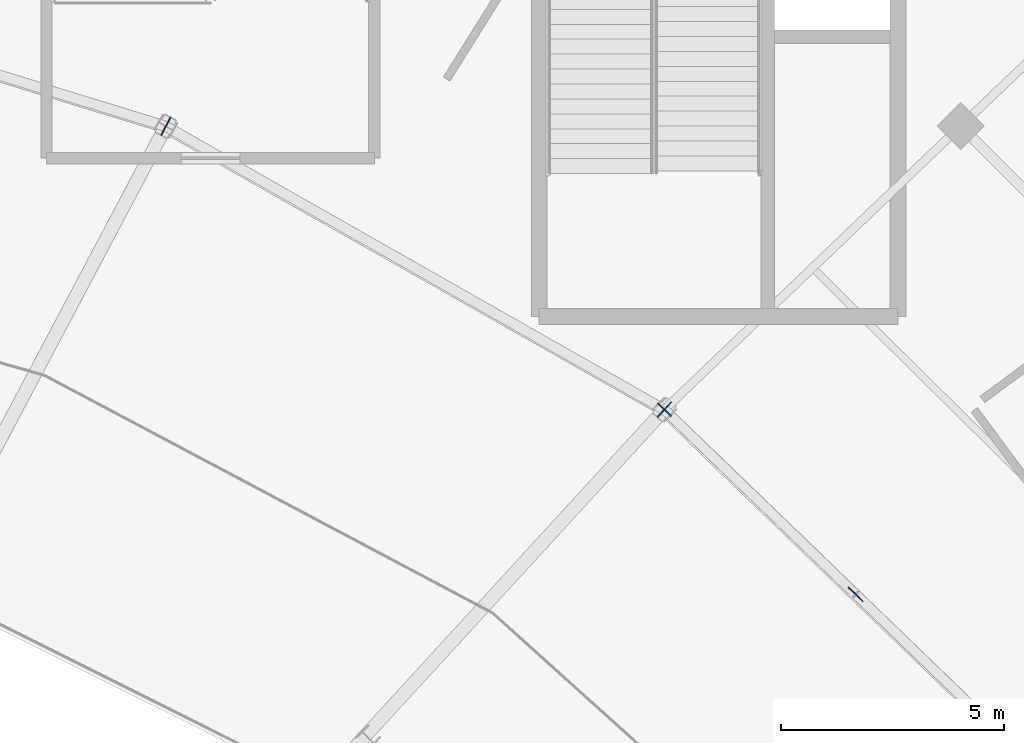
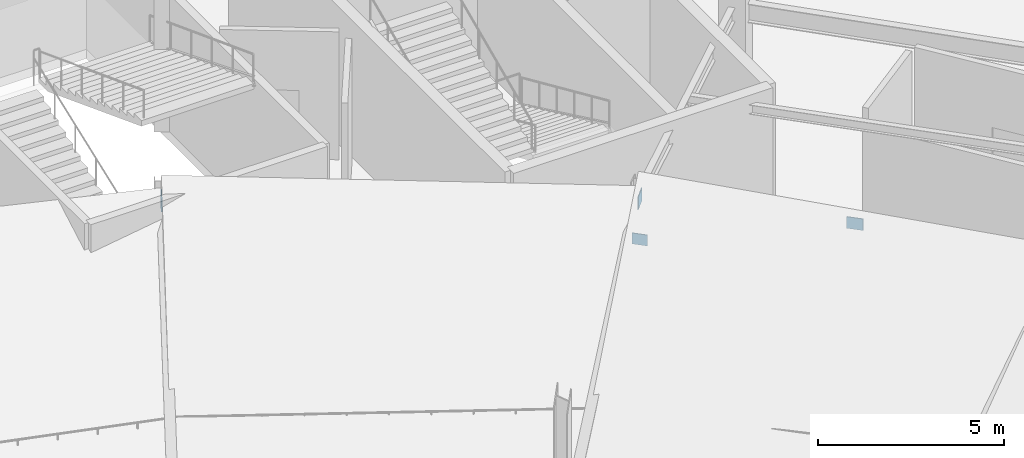
# One storey, part 28 of 63: 4 plates.
"""IFC4 building model written with IfcOpenShell, lengths in metres."""

from ifc_helpers import new_model, si_unit, direction, frame, origin, origin_2d, place, context, subcontext, project, spatial, rectangle, extrude, material, layer, layer_set, type_object, element, save


model = new_model("IFC4")

# Units and contexts
model_context = context("Model", 3, precision=1e-05, world=origin(), true_north=direction((0.0, 1.0)))
body_context = subcontext(model_context, "Body", "Model", "MODEL_VIEW")
ifc_project = project(units=[si_unit("LENGTHUNIT", "METRE"), si_unit("AREAUNIT", "SQUARE_METRE"), si_unit("VOLUMEUNIT", "CUBIC_METRE"), si_unit("PLANEANGLEUNIT", "RADIAN"), si_unit("MASSUNIT", "GRAM", prefix="KILO")], contexts=[model_context])

# Site, building, storey
site_placement = place(None, origin())
site = spatial("IfcSite", under=ifc_project, at=site_placement, CompositionType="ELEMENT")
building_placement = place(site_placement, origin())
building = spatial("IfcBuilding", under=site, at=building_placement, Name="Kalgoora Escarpment Arena", CompositionType="ELEMENT")
storey_placement = place(building_placement, frame((0.0, 0.0, 14.39990234375)))
storey = spatial("IfcBuildingStorey", under=building, at=storey_placement, Name="L03", CompositionType="ELEMENT", Elevation=14.39990234375)

# Plates
ifc_material = material(Name="Structural steel Grade 350 (350 MPa)", Category="steel")
ifc_layer = layer(ifc_material, 0.02490234375)
ifc_layer_set = layer_set([ifc_layer], Name="PLT-GUSSET-25")
plate_type = type_object("IfcPlateType", Name="PLT-GUSSET-25", PredefinedType="USERDEFINED", material=ifc_layer_set)
for number, where, z_axis, x_axis, name in (
    (1, (130.583740234375, 92.2841796875, 3.64013671875), (0.0, 0.0, 1.0), (0.675718876495, 0.737159412846, 0.0), "Upper bowl raker wall embedment plate R04"),
    (2, (119.39990234375, 98.64111328125, 3.64013671875), (0.0, 0.0, 1.0), (0.467775560934, 0.883847285787, 0.0), "Upper bowl raker wall embedment plate R05"),
):
    element("IfcPlate", number, at=place(storey_placement, frame(where, z_axis=z_axis, x_axis=x_axis)), inside=storey, type_object=plate_type, Name=name, ObjectType="FLANGE PLATE", PredefinedType="USERDEFINED", context=body_context, shape_type="SweptSolid", body=[
        extrude(rectangle(XDim=0.4599609375, YDim=0.02490234375, at=origin_2d()), origin(), (0.0, 0.0, 1.0), 0.419921875),
    ])
plate_1_placement = place(storey_placement, frame((134.87451171875, 88.14208984375, 3.860107421875), z_axis=(0.0, 0.0, 1.0), x_axis=(-0.719461030139, 0.6945328114, 0.0)))
element("IfcPlate", 3, at=plate_1_placement, inside=storey, type_object=plate_type, Name="L03 chevron gusset cap plate R03", ObjectType="FLANGE PLATE", PredefinedType="USERDEFINED", context=body_context, shape_type="SweptSolid", body=[
    extrude(rectangle(XDim=0.4599609375, YDim=0.02490234375, at=origin_2d()), origin(), (0.0, 0.0, 1.0), 0.3798828125),
])
plate_2_placement = place(storey_placement, frame((130.583740234375, 92.2841796875, 2.33984375), z_axis=(0.0, 0.0, 1.0), x_axis=(0.719339800339, -0.694658370459, 0.0)))
element("IfcPlate", 4, at=plate_2_placement, inside=storey, type_object=plate_type, Name="Brace and post end gusset plate 026", ObjectType="FLANGE PLATE", PredefinedType="USERDEFINED", context=body_context, shape_type="SweptSolid", body=[
    extrude(rectangle(XDim=0.419921875, YDim=0.02490234375, at=origin_2d()), origin(), (0.0, 0.0, 1.0), 0.360107421875),
])

save(model, "model.ifc")
